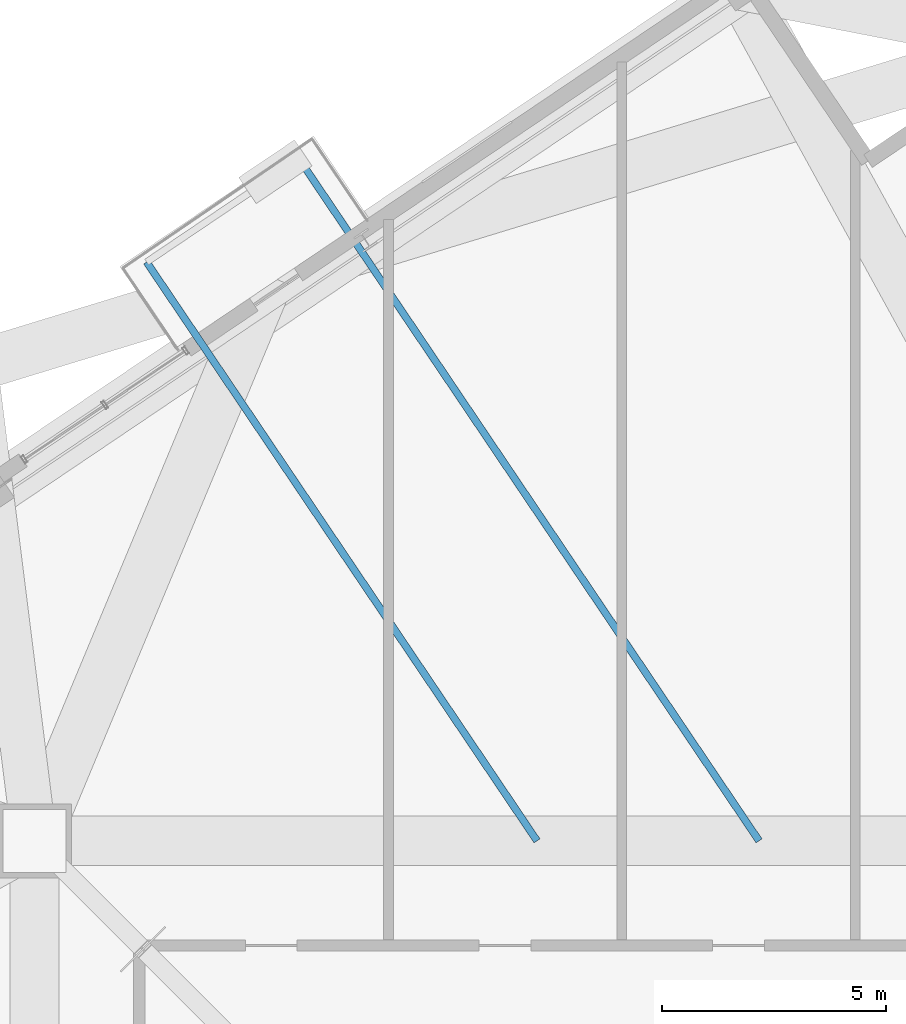
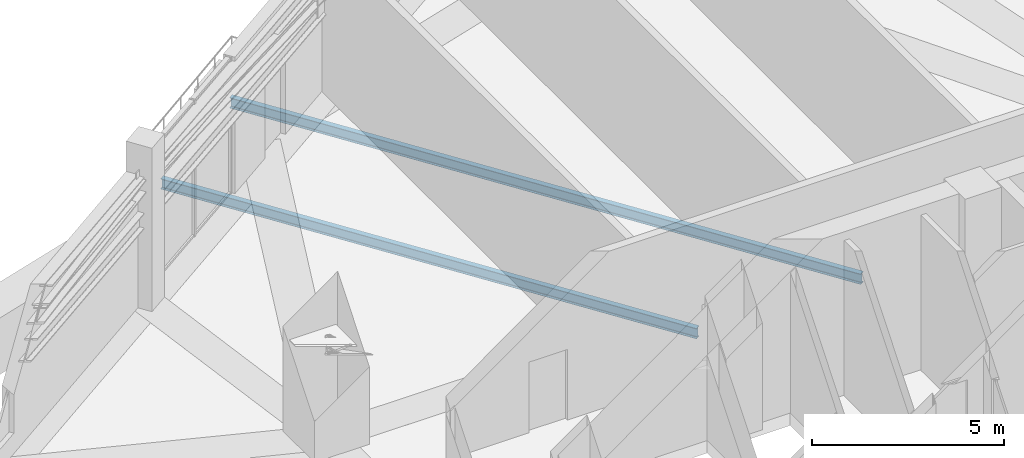
# One storey, part 7 of 21: 2 beams.
"""IFC4 building model written with IfcOpenShell, lengths in metres."""

from ifc_helpers import new_model, si_unit, direction, frame, origin, origin_2d, place, context, subcontext, project, spatial, i_section, extrude, source, transform, mapped, material, material_profile, profile_set, type_object, element, save


model = new_model("IFC4")

# Units and contexts
model_context = context("Model", 3, precision=1e-05, world=origin(), true_north=direction((0.0, 1.0)))
body_context = subcontext(model_context, "Body", "Model", "MODEL_VIEW")
ifc_project = project(units=[si_unit("LENGTHUNIT", "METRE"), si_unit("AREAUNIT", "SQUARE_METRE"), si_unit("VOLUMEUNIT", "CUBIC_METRE"), si_unit("PLANEANGLEUNIT", "RADIAN"), si_unit("MASSUNIT", "GRAM", prefix="KILO"), si_unit("THERMODYNAMICTEMPERATUREUNIT", "KELVIN")], contexts=[model_context])

# Site, building, storey
site_placement = place(None, origin())
site = spatial("IfcSite", under=ifc_project, at=site_placement, CompositionType="ELEMENT")
building_placement = place(site_placement, origin())
building = spatial("IfcBuilding", under=site, at=building_placement, Name="Kosmvard Interchange Tower", CompositionType="ELEMENT")
storey_placement = place(building_placement, frame((0.0, 0.0, 139.199951171875)))
storey = spatial("IfcBuildingStorey", under=building, at=storey_placement, Name="L33", CompositionType="ELEMENT", Elevation=139.199951171875)

# Beams
ifc_material = material(Name="Steel S355", Category="steel")
ifc_material_profile = material_profile(ifc_material, i_section(OverallWidth=0.159912109375, OverallDepth=0.330078125, WebThickness=0.007568359375, FlangeThickness=0.011474609375, FilletRadius=0.01806640625, at=origin_2d()), Name="IPE 330")
ifc_profile_set = profile_set([ifc_material_profile], Name="Steel S355")
beam_type = type_object("IfcBeamType", Name="Balcony Cantilever Joist IPE 330 S355", PredefinedType="JOIST", material=ifc_profile_set)
shared_shape_1 = source(origin(), body_context, "Body", "SweptSolid", [
    extrude(i_section(OverallWidth=0.159912109375, OverallDepth=0.330078125, WebThickness=0.007568359375, FlangeThickness=0.011474609375, FilletRadius=0.01806640625, at=origin_2d()), origin(), (0.0, 0.0, 1.0), 18.3154296875),
])
beam_1_placement = place(storey_placement, frame((3.05810546875, 13.0810546875, -0.56494140625), z_axis=(-0.559198558956, 0.829033757854, 0.0), x_axis=(-0.829033757854, -0.559198558956, 0.0)))
element("IfcBeam", 1, at=beam_1_placement, inside=storey, type_object=beam_type, Name="BM-L33-BJ1", PredefinedType="JOIST", context=body_context, shape_type="MappedRepresentation", body=[
    mapped(shared_shape_1, transform((0.0, 0.0, 0.0), scale=1.0)),
])
shared_shape_2 = source(origin(), body_context, "Body", "SweptSolid", [
    extrude(i_section(OverallWidth=0.159912109375, OverallDepth=0.330078125, WebThickness=0.007568359375, FlangeThickness=0.011474609375, FilletRadius=0.01806640625, at=origin_2d()), origin(), (0.0, 0.0, 1.0), 15.5498046875),
])
beam_2_placement = place(storey_placement, frame((-1.887451171875, 13.0810546875, -0.56494140625), z_axis=(-0.559192113404, 0.829038105461, 0.0), x_axis=(-0.829038105461, -0.559192113404, 0.0)))
element("IfcBeam", 2, at=beam_2_placement, inside=storey, type_object=beam_type, Name="BM-L33-BJB1", PredefinedType="JOIST", context=body_context, shape_type="MappedRepresentation", body=[
    mapped(shared_shape_2, transform((0.0, 0.0, 0.0), scale=1.0)),
])

save(model, "model.ifc")
